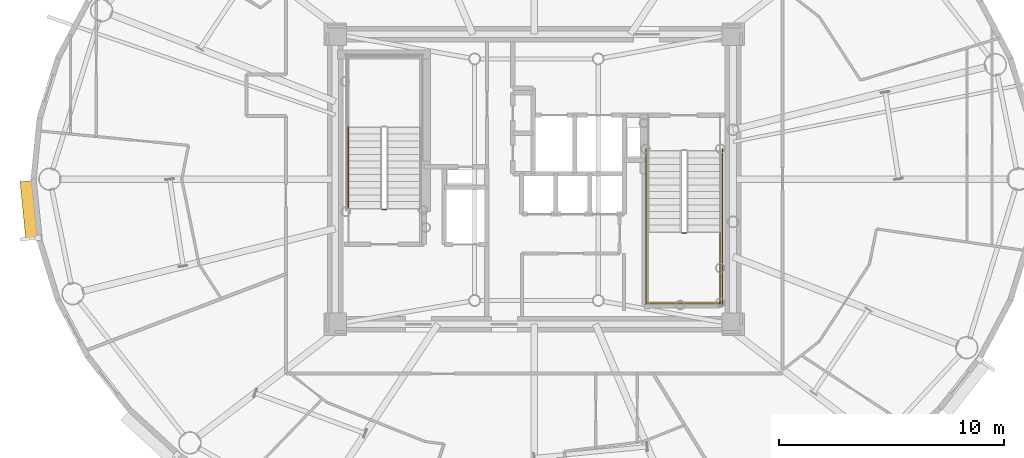
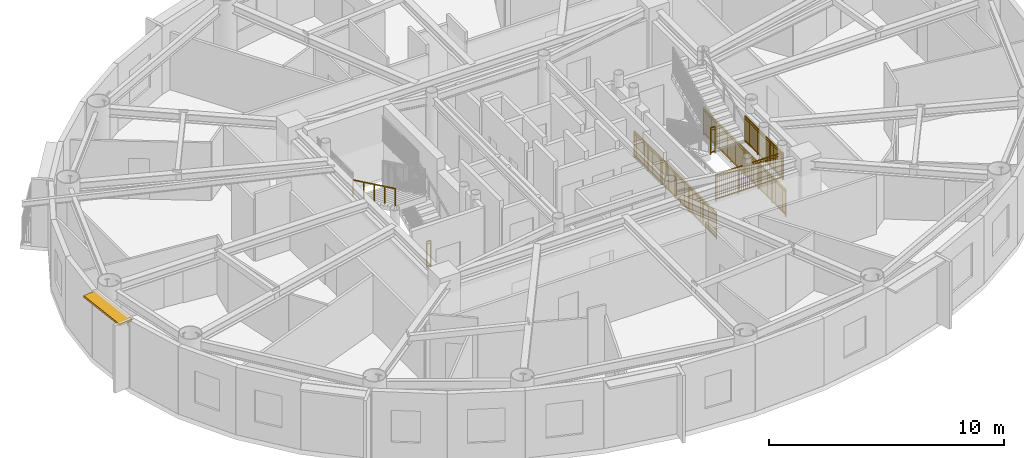
# One storey, part 13 of 18: 7 railings, 1 shading device.
"""IFC4 building model written with IfcOpenShell, lengths in metres."""

import ifcopenshell
import ifcopenshell.guid

model = None  # the IFC model being written
_history = None  # IfcOwnerHistory: only IFC2X3 demands one
_inside = {}  # id of a spatial element -> (the spatial element, [elements in it])
_under = {}  # id of a project, library or spatial element -> (it, [spatial elements below it])
_declared = {}  # id of a project -> (the project, [libraries it declares])
_typed = {}  # id of a type object -> (the type object, [elements of that type])
_made_of = {}  # id of a material, layer set ... -> (it, [elements and type objects made of it])


def new_model(schema):
    """Start an empty IFC model of exactly this schema.

    Asked for "IFC4X3", IfcOpenShell would pick the latest addendum, in which some entities
    have other attributes; the version numbers below select the first issue.
    IFC2X3 requires an IfcOwnerHistory on every rooted entity: one is made here for all.
    """
    global model, _history
    if schema == "IFC4X3":
        model = ifcopenshell.file(schema_version=(4, 3, 0, 0))
    else:
        model = ifcopenshell.file(schema=schema)
    _inside.clear()
    _under.clear()
    _declared.clear()
    _typed.clear()
    _made_of.clear()
    _history = None
    if model.schema == "IFC2X3":
        org = make("IfcOrganization", Name="unknown")
        user = make(
            "IfcPersonAndOrganization",
            ThePerson=make("IfcPerson", FamilyName="unknown"),
            TheOrganization=org,
        )
        app = make(
            "IfcApplication",
            ApplicationDeveloper=org,
            Version="unknown",
            ApplicationFullName="unknown",
            ApplicationIdentifier="unknown",
        )
        _history = make(
            "IfcOwnerHistory",
            OwningUser=user,
            OwningApplication=app,
            ChangeAction="ADDED",
            CreationDate=0,
        )
    return model


def make(cls, **values):
    """One entity of the class cls with the attributes given. An attribute that is None is left unset."""
    return model.create_entity(
        cls, **{name: value for name, value in values.items() if value is not None}
    )


def rooted(cls, **values):
    """An entity with a GlobalId (a new one), such as an element, a storey or a relation."""
    return make(cls, GlobalId=ifcopenshell.guid.new(), OwnerHistory=_history, **values)


def si_unit(unit_type, name, prefix=None):
    """IfcSIUnit, for example si_unit("LENGTHUNIT", "METRE", prefix="MILLI")."""
    return make("IfcSIUnit", UnitType=unit_type, Prefix=prefix, Name=name)


def assignment(units):
    """IfcUnitAssignment: the units of a project."""
    return None if units is None else make("IfcUnitAssignment", Units=units)


def point(xyz):
    """IfcCartesianPoint."""
    return None if xyz is None else make("IfcCartesianPoint", Coordinates=xyz)


def direction(xyz):
    """IfcDirection."""
    return None if xyz is None else make("IfcDirection", DirectionRatios=xyz)


def frame(location, z_axis=None, x_axis=None):
    """IfcAxis2Placement3D, a coordinate frame: its origin and axes. An axis left out is left unset."""
    return make(
        "IfcAxis2Placement3D",
        Location=point(location),
        Axis=direction(z_axis),
        RefDirection=direction(x_axis),
    )


def frame_2d(location, x_axis=None):
    """IfcAxis2Placement2D, a coordinate frame in the plane: its origin and x axis."""
    return make(
        "IfcAxis2Placement2D", Location=point(location), RefDirection=direction(x_axis)
    )


def origin():
    """The frame at (0, 0, 0) with its axes left unset."""
    return frame((0.0, 0.0, 0.0))


def origin_2d():
    """The frame at (0, 0) in the plane with its x axis left unset."""
    return frame_2d((0.0, 0.0))


def place(relative_to, where):
    """IfcLocalPlacement: puts the frame where relative to a parent placement (None: the world)."""
    return make(
        "IfcLocalPlacement", PlacementRelTo=relative_to, RelativePlacement=where
    )


def context(
    kind, dimensions, precision=None, world=None, true_north=None, identifier=None
):
    """IfcGeometricRepresentationContext, for example the 3D "Model" context."""
    return make(
        "IfcGeometricRepresentationContext",
        ContextIdentifier=identifier,
        ContextType=kind,
        CoordinateSpaceDimension=dimensions,
        Precision=precision,
        WorldCoordinateSystem=world,
        TrueNorth=true_north,
    )


def subcontext(parent, identifier, kind, view, scale=None):
    """IfcGeometricRepresentationSubContext, for example "Body" below "Model"."""
    return make(
        "IfcGeometricRepresentationSubContext",
        ContextIdentifier=identifier,
        ContextType=kind,
        ParentContext=parent,
        TargetScale=scale,
        TargetView=view,
    )


def project(units=None, contexts=None):
    """IfcProject with its units and contexts."""
    return rooted(
        "IfcProject",
        Name="project",
        RepresentationContexts=contexts,
        UnitsInContext=assignment(units),
    )


def spatial(cls, under=None, at=None, **own):
    """A site, building, storey or space (cls), placed at a placement, below another one or the project."""
    s = rooted(cls, ObjectPlacement=at, **own)
    if under is not None:
        _under.setdefault(under.id(), (under, []))[1].append(s)
    return s


def profile(cls, at=None, kind="AREA", **sizes):
    """A parametric profile (cls). Its sizes go by their IFC names, for example OverallWidth=200.0."""
    return make(cls, ProfileType=kind, Position=at, **sizes)


def rectangle(**sizes):
    """IfcRectangleProfileDef."""
    return profile("IfcRectangleProfileDef", **sizes)


def extrude(swept, where, along, depth):
    """IfcExtrudedAreaSolid: the profile swept, set in the frame where, extruded along a direction by depth."""
    return make(
        "IfcExtrudedAreaSolid",
        SweptArea=swept,
        Position=where,
        ExtrudedDirection=direction(along),
        Depth=depth,
    )


def shape(context_of_items, identifier, shape_type, items):
    """IfcShapeRepresentation: the items that make up one representation, for example the "Body"."""
    return make(
        "IfcShapeRepresentation",
        ContextOfItems=context_of_items,
        RepresentationIdentifier=identifier,
        RepresentationType=shape_type,
        Items=items,
    )


def source(mapping_origin, context_of_items, identifier, shape_type, items):
    """IfcRepresentationMap: a shape defined once, which mapped items show again and again."""
    return make(
        "IfcRepresentationMap",
        MappingOrigin=mapping_origin,
        MappedRepresentation=shape(context_of_items, identifier, shape_type, items),
    )


def transform(
    local_origin,
    x_axis=None,
    y_axis=None,
    z_axis=None,
    scale=None,
    scale2=None,
    scale3=None,
    uniform=True,
):
    """IfcCartesianTransformationOperator3D, or its non-uniform kind. x_axis, y_axis, z_axis: its Axis1, 2, 3."""
    if uniform:
        return make(
            "IfcCartesianTransformationOperator3D",
            Axis1=direction(x_axis),
            Axis2=direction(y_axis),
            LocalOrigin=point(local_origin),
            Scale=scale,
            Axis3=direction(z_axis),
        )
    return make(
        "IfcCartesianTransformationOperator3DnonUniform",
        Axis1=direction(x_axis),
        Axis2=direction(y_axis),
        LocalOrigin=point(local_origin),
        Scale=scale,
        Axis3=direction(z_axis),
        Scale2=scale2,
        Scale3=scale3,
    )


def mapped(mapping_source, mapping_target):
    """IfcMappedItem: shows the shape of a source again, moved by a transform."""
    return make(
        "IfcMappedItem", MappingSource=mapping_source, MappingTarget=mapping_target
    )


def material(Name=None, Category=None):
    """IfcMaterial."""
    return make("IfcMaterial", Name=Name, Category=Category)


def layer(
    of_material, thickness, ventilated=None, Name=None, Category=None, Priority=None
):
    """IfcMaterialLayer: one layer of a wall or slab, of a material (None: an air gap)."""
    return make(
        "IfcMaterialLayer",
        Material=of_material,
        LayerThickness=thickness,
        IsVentilated=ventilated,
        Name=Name,
        Category=Category,
        Priority=Priority,
    )


def layer_set(layers, Name=None):
    """IfcMaterialLayerSet."""
    return make("IfcMaterialLayerSet", MaterialLayers=layers, LayerSetName=Name)


def made_of(thing, what):
    """Note that an element or type object is made of a material, layer set ...; save() writes the relation."""
    if what is not None:
        _made_of.setdefault(what.id(), (what, []))[1].append(thing)
    return thing


def type_object(cls, material=None, **own):
    """A type object (cls), such as IfcWallType, which elements share."""
    return made_of(rooted(cls, **own), material)


def element(
    cls,
    number,
    at=None,
    inside=None,
    cuts=None,
    type_object=None,
    material=None,
    context=None,
    identifier="Body",
    shape_type=None,
    held_by="IfcProductDefinitionShape",
    body=None,
    shapes=None,
    **own,
):
    """One element of the class cls, such as IfcWall. Its Tag is "e" and its number.

    at: its placement. inside: the storey or other place that contains it. cuts: it is an
    opening in that element (IfcRelVoidsElement). A single representation is given by context,
    identifier, shape_type and body (its items); several are given by shapes. held_by: the class
    of the entity that holds the representations. save() writes the other relations.
    """
    e = rooted(cls, Tag="e%d" % number, ObjectPlacement=at, **own)
    if body is not None:
        shapes = [shape(context, identifier, shape_type, body)]
    if shapes is not None:
        e.Representation = make(held_by, Representations=shapes)
    if inside is not None:
        _inside.setdefault(inside.id(), (inside, []))[1].append(e)
    if cuts is not None:
        rooted(
            "IfcRelVoidsElement", RelatingBuildingElement=cuts, RelatedOpeningElement=e
        )
    if type_object is not None:
        _typed.setdefault(type_object.id(), (type_object, []))[1].append(e)
    return made_of(e, material)


def aggregate(whole, parts):
    """IfcRelAggregates: a whole, such as a stair, and the parts it consists of."""
    return rooted("IfcRelAggregates", RelatingObject=whole, RelatedObjects=parts)


def save(model, path):
    """Write the relations noted so far, then the file.

    IfcRelAggregates (storeys below a building ...), IfcRelContainedInSpatialStructure (elements
    in a storey), IfcRelDefinesByType, IfcRelAssociatesMaterial and IfcRelDeclares: one each for
    every whole, place, type object, material and project.
    """
    for whole, parts in _under.values():
        aggregate(whole, parts)
    for where, things in _inside.values():
        rooted(
            "IfcRelContainedInSpatialStructure",
            RelatedElements=things,
            RelatingStructure=where,
        )
    for kind, things in _typed.values():
        rooted("IfcRelDefinesByType", RelatedObjects=things, RelatingType=kind)
    for what, things in _made_of.values():
        rooted("IfcRelAssociatesMaterial", RelatedObjects=things, RelatingMaterial=what)
    for by, libraries in _declared.values():
        rooted("IfcRelDeclares", RelatingContext=by, RelatedDefinitions=libraries)
    model.write(path)


model = new_model("IFC4")

# Units and contexts
model_context = context("Model", 3, precision=1e-05, world=origin(), true_north=direction((0.0, 1.0)))
body_context = subcontext(model_context, "Body", "Model", "MODEL_VIEW")
ifc_project = project(units=[si_unit("LENGTHUNIT", "METRE"), si_unit("AREAUNIT", "SQUARE_METRE"), si_unit("VOLUMEUNIT", "CUBIC_METRE"), si_unit("PLANEANGLEUNIT", "RADIAN"), si_unit("MASSUNIT", "GRAM", prefix="KILO")], contexts=[model_context])

# Site, building, storey
site_placement = place(None, origin())
site = spatial("IfcSite", under=ifc_project, at=site_placement, CompositionType="ELEMENT")
building_placement = place(site_placement, origin())
building = spatial("IfcBuilding", under=site, at=building_placement, Name="Linh Dai School and Residence Tower", CompositionType="ELEMENT")
storey_placement = place(building_placement, frame((0.0, 0.0, 291.75)))
storey = spatial("IfcBuildingStorey", under=building, at=storey_placement, Name="L72", CompositionType="ELEMENT", Elevation=291.75)

# Shading device
ifc_material_1 = material(Name="Terracotta Ceramic Sunshade", Category="masonry")
ifc_layer = layer(ifc_material_1, 0.10009765625)
ifc_layer_set = layer_set([ifc_layer], Name="Terracotta Ceramic Sunshade")
shading_device_type = type_object("IfcShadingDeviceType", Name="SHD-TC-650", PredefinedType="USERDEFINED", material=ifc_layer_set)
shared_shape_1 = source(origin(), body_context, "Body", "SweptSolid", [
    extrude(rectangle(XDim=2.62353515625, YDim=0.64990234375, at=origin_2d()), origin(), (0.0, 0.0, 1.0), 0.10009765625),
])
shading_device_placement = place(storey_placement, frame((13.578125, 25.612060546875, 3.3798828125), z_axis=(0.0, 0.0, 1.0), x_axis=(-0.100008034283, 0.994986629598, 0.0)))
element("IfcShadingDevice", 1, at=shading_device_placement, inside=storey, type_object=shading_device_type, Name="L72 Terracotta Horizontal Sunshade Band 21", ObjectType="SUNSHADE", PredefinedType="USERDEFINED", context=body_context, shape_type="MappedRepresentation", body=[
    mapped(shared_shape_1, transform((0.0, 0.0, 0.0), x_axis=(1.0, 0.0, 0.0), y_axis=(0.0, 1.0, 0.0), z_axis=(0.0, 0.0, 1.0), scale=1.0)),
])

# Railings
ifc_material_2 = material(Name="Structural Steel S355JR", Category="steel")
railing_type_1 = type_object("IfcRailingType", Name="RL-ST-GUARD-1400", PredefinedType="GUARDRAIL", material=ifc_material_2)
shared_shape_2 = source(origin(), body_context, "Body", "SweptSolid", [
    extrude(rectangle(XDim=0.048095703125, YDim=0.048095703125, at=origin_2d()), frame((0.0, 0.0, 1.3759765625), z_axis=(-1.0, 0.0, 0.0), x_axis=(0.0, -1.0, 0.0)), (0.0, 0.0, 1.0), 0.199951171875),
    extrude(rectangle(XDim=0.048095703125, YDim=0.048095703125, at=origin_2d()), frame((0.0, 0.0, 0.10009765625), z_axis=(-1.0, 0.0, 0.0), x_axis=(0.0, -1.0, 0.0)), (0.0, 0.0, 1.0), 0.199951171875),
    extrude(rectangle(XDim=0.030029296875, YDim=0.030029296875, at=origin_2d()), frame((0.0, 0.0, 1.239990234375), z_axis=(-1.0, 0.0, 0.0), x_axis=(0.0, -1.0, 0.0)), (0.0, 0.0, 1.0), 0.199951171875),
    extrude(rectangle(XDim=0.0419921875, YDim=0.0419921875, at=origin_2d()), origin(), (0.0, 0.0, 1.0), 1.3759765625),
    extrude(rectangle(XDim=0.0419921875, YDim=0.0419921875, at=origin_2d()), frame((-0.199951171875, 0.0, 0.0)), (0.0, 0.0, 1.0), 1.3759765625),
])
railing_1_placement = place(storey_placement, frame((29.429931640625, 25.64990234375, 0.0)))
element("IfcRailing", 2, at=railing_1_placement, inside=storey, type_object=railing_type_1, Name="L72 ST1 stair guard 7", PredefinedType="GUARDRAIL", context=body_context, shape_type="MappedRepresentation", body=[
    mapped(shared_shape_2, transform((0.0, 0.0, 0.0), x_axis=(1.0, 0.0, 0.0), y_axis=(0.0, 1.0, 0.0), z_axis=(0.0, 0.0, 1.0), scale=1.0)),
])
ifc_material_3 = material(Name="Brushed Stainless Steel Handrail", Category="steel")
railing_type_2 = type_object("IfcRailingType", Name="RL-ST-HANDRAIL-900", PredefinedType="HANDRAIL", material=ifc_material_3)
shared_shape_3 = source(origin(), body_context, "Body", "SweptSolid", [
    extrude(rectangle(XDim=0.048095703125, YDim=0.048095703125, at=origin_2d()), frame((0.0, 0.0, 0.8759765625), z_axis=(0.0, -0.901262522062, 0.433273431364), x_axis=(1.0, 0.0, 0.0)), (0.0, 0.0, 1.0), 3.994384765625),
    extrude(rectangle(XDim=0.0419921875, YDim=0.0419921875, at=origin_2d()), origin(), (0.0, 0.0, 1.0), 0.8759765625),
    extrude(rectangle(XDim=0.0419921875, YDim=0.0419921875, at=origin_2d()), frame((0.0, -0.89990234375, 0.4326171875)), (0.0, 0.0, 1.0), 0.8759765625),
    extrude(rectangle(XDim=0.0419921875, YDim=0.0419921875, at=origin_2d()), frame((0.0, -1.800048828125, 0.865234375)), (0.0, 0.0, 1.0), 0.8759765625),
    extrude(rectangle(XDim=0.0419921875, YDim=0.0419921875, at=origin_2d()), frame((0.0, -2.7001953125, 1.298095703125)), (0.0, 0.0, 1.0), 0.8759765625),
    extrude(rectangle(XDim=0.0419921875, YDim=0.0419921875, at=origin_2d()), frame((0.0, -3.60009765625, 1.730712890625)), (0.0, 0.0, 1.0), 0.8759765625),
])
railing_2_placement = place(storey_placement, frame((27.72998046875, 29.300048828125, 2.019287109375)))
element("IfcRailing", 3, at=railing_2_placement, inside=storey, type_object=railing_type_2, Name="L72 ST1 stair handrail 2", PredefinedType="HANDRAIL", context=body_context, shape_type="MappedRepresentation", body=[
    mapped(shared_shape_3, transform((0.0, 0.0, 0.0), x_axis=(1.0, 0.0, 0.0), y_axis=(0.0, 1.0, 0.0), z_axis=(0.0, 0.0, 1.0), scale=1.0)),
])
shared_shape_4 = source(origin(), body_context, "Body", "SweptSolid", [
    extrude(rectangle(XDim=0.048095703125, YDim=0.048095703125, at=origin_2d()), frame((0.0, 0.0, 1.3759765625), z_axis=(1.0, 0.0, 0.0), x_axis=(0.0, 1.0, 0.0)), (0.0, 0.0, 1.0), 0.199951171875),
    extrude(rectangle(XDim=0.048095703125, YDim=0.048095703125, at=origin_2d()), frame((0.0, 0.0, 0.10009765625), z_axis=(1.0, 0.0, 0.0), x_axis=(0.0, 1.0, 0.0)), (0.0, 0.0, 1.0), 0.199951171875),
    extrude(rectangle(XDim=0.030029296875, YDim=0.030029296875, at=origin_2d()), frame((0.0, 0.0, 1.239990234375), z_axis=(1.0, 0.0, 0.0), x_axis=(0.0, 1.0, 0.0)), (0.0, 0.0, 1.0), 0.199951171875),
    extrude(rectangle(XDim=0.0419921875, YDim=0.0419921875, at=origin_2d()), origin(), (0.0, 0.0, 1.0), 1.3759765625),
    extrude(rectangle(XDim=0.0419921875, YDim=0.0419921875, at=origin_2d()), frame((0.199951171875, 0.0, 0.0)), (0.0, 0.0, 1.0), 1.3759765625),
])
railing_3_placement = place(storey_placement, frame((42.570068359375, 24.60009765625, 1.875)))
element("IfcRailing", 4, at=railing_3_placement, inside=storey, type_object=railing_type_1, Name="L72 ST2 stair guard 2", PredefinedType="GUARDRAIL", context=body_context, shape_type="MappedRepresentation", body=[
    mapped(shared_shape_4, transform((0.0, 0.0, 0.0), x_axis=(1.0, 0.0, 0.0), y_axis=(0.0, 1.0, 0.0), z_axis=(0.0, 0.0, 1.0), scale=1.0)),
])
shared_shape_5 = source(origin(), body_context, "Body", "SweptSolid", [
    extrude(rectangle(XDim=0.048095703125, YDim=0.048095703125, at=origin_2d()), frame((0.0, 0.0, 1.3759765625), z_axis=(1.0, 0.0, 0.0), x_axis=(0.0, 1.0, 0.0)), (0.0, 0.0, 1.0), 3.300048828125),
    extrude(rectangle(XDim=0.048095703125, YDim=0.048095703125, at=origin_2d()), frame((0.0, 0.0, 0.10009765625), z_axis=(1.0, 0.0, 0.0), x_axis=(0.0, 1.0, 0.0)), (0.0, 0.0, 1.0), 3.300048828125),
    extrude(rectangle(XDim=0.030029296875, YDim=0.030029296875, at=origin_2d()), frame((0.0, 0.0, 1.239990234375), z_axis=(1.0, 0.0, 0.0), x_axis=(0.0, 1.0, 0.0)), (0.0, 0.0, 1.0), 3.300048828125),
    extrude(rectangle(XDim=0.02001953125, YDim=0.02001953125, at=origin_2d()), frame((0.09716796875, 0.0, 0.10009765625)), (0.0, 0.0, 1.0), 1.251708984375),
    extrude(rectangle(XDim=0.02001953125, YDim=0.02001953125, at=origin_2d()), frame((0.194091796875, 0.0, 0.10009765625)), (0.0, 0.0, 1.0), 1.251708984375),
    extrude(rectangle(XDim=0.02001953125, YDim=0.02001953125, at=origin_2d()), frame((0.291259765625, 0.0, 0.10009765625)), (0.0, 0.0, 1.0), 1.251708984375),
    extrude(rectangle(XDim=0.02001953125, YDim=0.02001953125, at=origin_2d()), frame((0.38818359375, 0.0, 0.10009765625)), (0.0, 0.0, 1.0), 1.251708984375),
    extrude(rectangle(XDim=0.02001953125, YDim=0.02001953125, at=origin_2d()), frame((0.4853515625, 0.0, 0.10009765625)), (0.0, 0.0, 1.0), 1.251708984375),
    extrude(rectangle(XDim=0.02001953125, YDim=0.02001953125, at=origin_2d()), frame((0.582275390625, 0.0, 0.10009765625)), (0.0, 0.0, 1.0), 1.251708984375),
    extrude(rectangle(XDim=0.02001953125, YDim=0.02001953125, at=origin_2d()), frame((0.679443359375, 0.0, 0.10009765625)), (0.0, 0.0, 1.0), 1.251708984375),
    extrude(rectangle(XDim=0.02001953125, YDim=0.02001953125, at=origin_2d()), frame((0.7763671875, 0.0, 0.10009765625)), (0.0, 0.0, 1.0), 1.251708984375),
    extrude(rectangle(XDim=0.02001953125, YDim=0.02001953125, at=origin_2d()), frame((0.87353515625, 0.0, 0.10009765625)), (0.0, 0.0, 1.0), 1.251708984375),
    extrude(rectangle(XDim=0.02001953125, YDim=0.02001953125, at=origin_2d()), frame((0.970703125, 0.0, 0.10009765625)), (0.0, 0.0, 1.0), 1.251708984375),
    extrude(rectangle(XDim=0.02001953125, YDim=0.02001953125, at=origin_2d()), frame((1.164794921875, 0.0, 0.10009765625)), (0.0, 0.0, 1.0), 1.251708984375),
    extrude(rectangle(XDim=0.02001953125, YDim=0.02001953125, at=origin_2d()), frame((1.26171875, 0.0, 0.10009765625)), (0.0, 0.0, 1.0), 1.251708984375),
    extrude(rectangle(XDim=0.02001953125, YDim=0.02001953125, at=origin_2d()), frame((1.35888671875, 0.0, 0.10009765625)), (0.0, 0.0, 1.0), 1.251708984375),
    extrude(rectangle(XDim=0.02001953125, YDim=0.02001953125, at=origin_2d()), frame((1.455810546875, 0.0, 0.10009765625)), (0.0, 0.0, 1.0), 1.251708984375),
    extrude(rectangle(XDim=0.02001953125, YDim=0.02001953125, at=origin_2d()), frame((1.552978515625, 0.0, 0.10009765625)), (0.0, 0.0, 1.0), 1.251708984375),
    extrude(rectangle(XDim=0.02001953125, YDim=0.02001953125, at=origin_2d()), frame((1.64990234375, 0.0, 0.10009765625)), (0.0, 0.0, 1.0), 1.251708984375),
    extrude(rectangle(XDim=0.02001953125, YDim=0.02001953125, at=origin_2d()), frame((1.7470703125, 0.0, 0.10009765625)), (0.0, 0.0, 1.0), 1.251708984375),
    extrude(rectangle(XDim=0.02001953125, YDim=0.02001953125, at=origin_2d()), frame((1.84423828125, 0.0, 0.10009765625)), (0.0, 0.0, 1.0), 1.251708984375),
    extrude(rectangle(XDim=0.02001953125, YDim=0.02001953125, at=origin_2d()), frame((1.941162109375, 0.0, 0.10009765625)), (0.0, 0.0, 1.0), 1.251708984375),
    extrude(rectangle(XDim=0.02001953125, YDim=0.02001953125, at=origin_2d()), frame((2.038330078125, 0.0, 0.10009765625)), (0.0, 0.0, 1.0), 1.251708984375),
    extrude(rectangle(XDim=0.02001953125, YDim=0.02001953125, at=origin_2d()), frame((2.13525390625, 0.0, 0.10009765625)), (0.0, 0.0, 1.0), 1.251708984375),
    extrude(rectangle(XDim=0.02001953125, YDim=0.02001953125, at=origin_2d()), frame((2.329345703125, 0.0, 0.10009765625)), (0.0, 0.0, 1.0), 1.251708984375),
    extrude(rectangle(XDim=0.02001953125, YDim=0.02001953125, at=origin_2d()), frame((2.426513671875, 0.0, 0.10009765625)), (0.0, 0.0, 1.0), 1.251708984375),
    extrude(rectangle(XDim=0.02001953125, YDim=0.02001953125, at=origin_2d()), frame((2.523681640625, 0.0, 0.10009765625)), (0.0, 0.0, 1.0), 1.251708984375),
    extrude(rectangle(XDim=0.02001953125, YDim=0.02001953125, at=origin_2d()), frame((2.62060546875, 0.0, 0.10009765625)), (0.0, 0.0, 1.0), 1.251708984375),
    extrude(rectangle(XDim=0.02001953125, YDim=0.02001953125, at=origin_2d()), frame((2.7177734375, 0.0, 0.10009765625)), (0.0, 0.0, 1.0), 1.251708984375),
    extrude(rectangle(XDim=0.02001953125, YDim=0.02001953125, at=origin_2d()), frame((2.814697265625, 0.0, 0.10009765625)), (0.0, 0.0, 1.0), 1.251708984375),
    extrude(rectangle(XDim=0.02001953125, YDim=0.02001953125, at=origin_2d()), frame((2.911865234375, 0.0, 0.10009765625)), (0.0, 0.0, 1.0), 1.251708984375),
    extrude(rectangle(XDim=0.02001953125, YDim=0.02001953125, at=origin_2d()), frame((3.0087890625, 0.0, 0.10009765625)), (0.0, 0.0, 1.0), 1.251708984375),
    extrude(rectangle(XDim=0.02001953125, YDim=0.02001953125, at=origin_2d()), frame((3.10595703125, 0.0, 0.10009765625)), (0.0, 0.0, 1.0), 1.251708984375),
    extrude(rectangle(XDim=0.02001953125, YDim=0.02001953125, at=origin_2d()), frame((3.202880859375, 0.0, 0.10009765625)), (0.0, 0.0, 1.0), 1.251708984375),
    extrude(rectangle(XDim=0.0419921875, YDim=0.0419921875, at=origin_2d()), origin(), (0.0, 0.0, 1.0), 1.3759765625),
    extrude(rectangle(XDim=0.0419921875, YDim=0.0419921875, at=origin_2d()), frame((1.10009765625, 0.0, 0.0)), (0.0, 0.0, 1.0), 1.3759765625),
    extrude(rectangle(XDim=0.0419921875, YDim=0.0419921875, at=origin_2d()), frame((2.199951171875, 0.0, 0.0)), (0.0, 0.0, 1.0), 1.3759765625),
    extrude(rectangle(XDim=0.0419921875, YDim=0.0419921875, at=origin_2d()), frame((3.300048828125, 0.0, 0.0)), (0.0, 0.0, 1.0), 1.3759765625),
])
railing_4_placement = place(storey_placement, frame((41.02001953125, 21.5, 1.875)))
element("IfcRailing", 5, at=railing_4_placement, inside=storey, type_object=railing_type_1, Name="L72 ST2 stair guard 5", PredefinedType="GUARDRAIL", context=body_context, shape_type="MappedRepresentation", body=[
    mapped(shared_shape_5, transform((0.0, 0.0, 0.0), x_axis=(1.0, 0.0, 0.0), y_axis=(0.0, 1.0, 0.0), z_axis=(0.0, 0.0, 1.0), scale=1.0)),
])
shared_shape_6 = source(origin(), body_context, "Body", "SweptSolid", [
    extrude(rectangle(XDim=0.048095703125, YDim=0.048095703125, at=origin_2d()), frame((0.0, 0.0, 1.3759765625), z_axis=(0.0, -1.0, 0.0), x_axis=(1.0, 0.0, 0.0)), (0.0, 0.0, 1.0), 7.0),
    extrude(rectangle(XDim=0.048095703125, YDim=0.048095703125, at=origin_2d()), frame((0.0, 0.0, 0.10009765625), z_axis=(0.0, -1.0, 0.0), x_axis=(1.0, 0.0, 0.0)), (0.0, 0.0, 1.0), 7.0),
    extrude(rectangle(XDim=0.030029296875, YDim=0.030029296875, at=origin_2d()), frame((0.0, 0.0, 1.239990234375), z_axis=(0.0, -1.0, 0.0), x_axis=(1.0, 0.0, 0.0)), (0.0, 0.0, 1.0), 7.0),
    extrude(rectangle(XDim=0.02001953125, YDim=0.02001953125, at=origin_2d()), frame((0.0, -0.09716796875, 0.10009765625)), (0.0, 0.0, 1.0), 1.251708984375),
    extrude(rectangle(XDim=0.02001953125, YDim=0.02001953125, at=origin_2d()), frame((0.0, -0.1943359375, 0.10009765625)), (0.0, 0.0, 1.0), 1.251708984375),
    extrude(rectangle(XDim=0.02001953125, YDim=0.02001953125, at=origin_2d()), frame((0.0, -0.291748046875, 0.10009765625)), (0.0, 0.0, 1.0), 1.251708984375),
    extrude(rectangle(XDim=0.02001953125, YDim=0.02001953125, at=origin_2d()), frame((0.0, -0.388916015625, 0.10009765625)), (0.0, 0.0, 1.0), 1.251708984375),
    extrude(rectangle(XDim=0.02001953125, YDim=0.02001953125, at=origin_2d()), frame((0.0, -0.486083984375, 0.10009765625)), (0.0, 0.0, 1.0), 1.251708984375),
    extrude(rectangle(XDim=0.02001953125, YDim=0.02001953125, at=origin_2d()), frame((0.0, -0.583251953125, 0.10009765625)), (0.0, 0.0, 1.0), 1.251708984375),
    extrude(rectangle(XDim=0.02001953125, YDim=0.02001953125, at=origin_2d()), frame((0.0, -0.6806640625, 0.10009765625)), (0.0, 0.0, 1.0), 1.251708984375),
    extrude(rectangle(XDim=0.02001953125, YDim=0.02001953125, at=origin_2d()), frame((0.0, -0.77783203125, 0.10009765625)), (0.0, 0.0, 1.0), 1.251708984375),
    extrude(rectangle(XDim=0.02001953125, YDim=0.02001953125, at=origin_2d()), frame((0.0, -0.875, 0.10009765625)), (0.0, 0.0, 1.0), 1.251708984375),
    extrude(rectangle(XDim=0.02001953125, YDim=0.02001953125, at=origin_2d()), frame((0.0, -0.97216796875, 0.10009765625)), (0.0, 0.0, 1.0), 1.251708984375),
    extrude(rectangle(XDim=0.02001953125, YDim=0.02001953125, at=origin_2d()), frame((0.0, -1.0693359375, 0.10009765625)), (0.0, 0.0, 1.0), 1.251708984375),
    extrude(rectangle(XDim=0.02001953125, YDim=0.02001953125, at=origin_2d()), frame((0.0, -1.263916015625, 0.10009765625)), (0.0, 0.0, 1.0), 1.251708984375),
    extrude(rectangle(XDim=0.02001953125, YDim=0.02001953125, at=origin_2d()), frame((0.0, -1.361083984375, 0.10009765625)), (0.0, 0.0, 1.0), 1.251708984375),
    extrude(rectangle(XDim=0.02001953125, YDim=0.02001953125, at=origin_2d()), frame((0.0, -1.458251953125, 0.10009765625)), (0.0, 0.0, 1.0), 1.251708984375),
    extrude(rectangle(XDim=0.02001953125, YDim=0.02001953125, at=origin_2d()), frame((0.0, -1.5556640625, 0.10009765625)), (0.0, 0.0, 1.0), 1.251708984375),
    extrude(rectangle(XDim=0.02001953125, YDim=0.02001953125, at=origin_2d()), frame((0.0, -1.65283203125, 0.10009765625)), (0.0, 0.0, 1.0), 1.251708984375),
    extrude(rectangle(XDim=0.02001953125, YDim=0.02001953125, at=origin_2d()), frame((0.0, -1.75, 0.10009765625)), (0.0, 0.0, 1.0), 1.251708984375),
    extrude(rectangle(XDim=0.02001953125, YDim=0.02001953125, at=origin_2d()), frame((0.0, -1.84716796875, 0.10009765625)), (0.0, 0.0, 1.0), 1.251708984375),
    extrude(rectangle(XDim=0.02001953125, YDim=0.02001953125, at=origin_2d()), frame((0.0, -1.9443359375, 0.10009765625)), (0.0, 0.0, 1.0), 1.251708984375),
    extrude(rectangle(XDim=0.02001953125, YDim=0.02001953125, at=origin_2d()), frame((0.0, -2.041748046875, 0.10009765625)), (0.0, 0.0, 1.0), 1.251708984375),
    extrude(rectangle(XDim=0.02001953125, YDim=0.02001953125, at=origin_2d()), frame((0.0, -2.138916015625, 0.10009765625)), (0.0, 0.0, 1.0), 1.251708984375),
    extrude(rectangle(XDim=0.02001953125, YDim=0.02001953125, at=origin_2d()), frame((0.0, -2.236083984375, 0.10009765625)), (0.0, 0.0, 1.0), 1.251708984375),
    extrude(rectangle(XDim=0.02001953125, YDim=0.02001953125, at=origin_2d()), frame((0.0, -2.4306640625, 0.10009765625)), (0.0, 0.0, 1.0), 1.251708984375),
    extrude(rectangle(XDim=0.02001953125, YDim=0.02001953125, at=origin_2d()), frame((0.0, -2.52783203125, 0.10009765625)), (0.0, 0.0, 1.0), 1.251708984375),
    extrude(rectangle(XDim=0.02001953125, YDim=0.02001953125, at=origin_2d()), frame((0.0, -2.625, 0.10009765625)), (0.0, 0.0, 1.0), 1.251708984375),
    extrude(rectangle(XDim=0.02001953125, YDim=0.02001953125, at=origin_2d()), frame((0.0, -2.72216796875, 0.10009765625)), (0.0, 0.0, 1.0), 1.251708984375),
    extrude(rectangle(XDim=0.02001953125, YDim=0.02001953125, at=origin_2d()), frame((0.0, -2.8193359375, 0.10009765625)), (0.0, 0.0, 1.0), 1.251708984375),
    extrude(rectangle(XDim=0.02001953125, YDim=0.02001953125, at=origin_2d()), frame((0.0, -2.916748046875, 0.10009765625)), (0.0, 0.0, 1.0), 1.251708984375),
    extrude(rectangle(XDim=0.02001953125, YDim=0.02001953125, at=origin_2d()), frame((0.0, -3.013916015625, 0.10009765625)), (0.0, 0.0, 1.0), 1.251708984375),
    extrude(rectangle(XDim=0.02001953125, YDim=0.02001953125, at=origin_2d()), frame((0.0, -3.111083984375, 0.10009765625)), (0.0, 0.0, 1.0), 1.251708984375),
    extrude(rectangle(XDim=0.02001953125, YDim=0.02001953125, at=origin_2d()), frame((0.0, -3.208251953125, 0.10009765625)), (0.0, 0.0, 1.0), 1.251708984375),
    extrude(rectangle(XDim=0.02001953125, YDim=0.02001953125, at=origin_2d()), frame((0.0, -3.3056640625, 0.10009765625)), (0.0, 0.0, 1.0), 1.251708984375),
    extrude(rectangle(XDim=0.02001953125, YDim=0.02001953125, at=origin_2d()), frame((0.0, -3.40283203125, 0.10009765625)), (0.0, 0.0, 1.0), 1.251708984375),
    extrude(rectangle(XDim=0.02001953125, YDim=0.02001953125, at=origin_2d()), frame((0.0, -3.59716796875, 0.10009765625)), (0.0, 0.0, 1.0), 1.251708984375),
    extrude(rectangle(XDim=0.02001953125, YDim=0.02001953125, at=origin_2d()), frame((0.0, -3.6943359375, 0.10009765625)), (0.0, 0.0, 1.0), 1.251708984375),
    extrude(rectangle(XDim=0.02001953125, YDim=0.02001953125, at=origin_2d()), frame((0.0, -3.791748046875, 0.10009765625)), (0.0, 0.0, 1.0), 1.251708984375),
    extrude(rectangle(XDim=0.02001953125, YDim=0.02001953125, at=origin_2d()), frame((0.0, -3.888916015625, 0.10009765625)), (0.0, 0.0, 1.0), 1.251708984375),
    extrude(rectangle(XDim=0.02001953125, YDim=0.02001953125, at=origin_2d()), frame((0.0, -3.986083984375, 0.10009765625)), (0.0, 0.0, 1.0), 1.251708984375),
    extrude(rectangle(XDim=0.02001953125, YDim=0.02001953125, at=origin_2d()), frame((0.0, -4.083251953125, 0.10009765625)), (0.0, 0.0, 1.0), 1.251708984375),
    extrude(rectangle(XDim=0.02001953125, YDim=0.02001953125, at=origin_2d()), frame((0.0, -4.1806640625, 0.10009765625)), (0.0, 0.0, 1.0), 1.251708984375),
    extrude(rectangle(XDim=0.02001953125, YDim=0.02001953125, at=origin_2d()), frame((0.0, -4.27783203125, 0.10009765625)), (0.0, 0.0, 1.0), 1.251708984375),
    extrude(rectangle(XDim=0.02001953125, YDim=0.02001953125, at=origin_2d()), frame((0.0, -4.375, 0.10009765625)), (0.0, 0.0, 1.0), 1.251708984375),
    extrude(rectangle(XDim=0.02001953125, YDim=0.02001953125, at=origin_2d()), frame((0.0, -4.47216796875, 0.10009765625)), (0.0, 0.0, 1.0), 1.251708984375),
    extrude(rectangle(XDim=0.02001953125, YDim=0.02001953125, at=origin_2d()), frame((0.0, -4.5693359375, 0.10009765625)), (0.0, 0.0, 1.0), 1.251708984375),
    extrude(rectangle(XDim=0.02001953125, YDim=0.02001953125, at=origin_2d()), frame((0.0, -4.763916015625, 0.10009765625)), (0.0, 0.0, 1.0), 1.251708984375),
    extrude(rectangle(XDim=0.02001953125, YDim=0.02001953125, at=origin_2d()), frame((0.0, -4.861083984375, 0.10009765625)), (0.0, 0.0, 1.0), 1.251708984375),
    extrude(rectangle(XDim=0.02001953125, YDim=0.02001953125, at=origin_2d()), frame((0.0, -4.958251953125, 0.10009765625)), (0.0, 0.0, 1.0), 1.251708984375),
    extrude(rectangle(XDim=0.02001953125, YDim=0.02001953125, at=origin_2d()), frame((0.0, -5.0556640625, 0.10009765625)), (0.0, 0.0, 1.0), 1.251708984375),
    extrude(rectangle(XDim=0.02001953125, YDim=0.02001953125, at=origin_2d()), frame((0.0, -5.15283203125, 0.10009765625)), (0.0, 0.0, 1.0), 1.251708984375),
    extrude(rectangle(XDim=0.02001953125, YDim=0.02001953125, at=origin_2d()), frame((0.0, -5.25, 0.10009765625)), (0.0, 0.0, 1.0), 1.251708984375),
    extrude(rectangle(XDim=0.02001953125, YDim=0.02001953125, at=origin_2d()), frame((0.0, -5.34716796875, 0.10009765625)), (0.0, 0.0, 1.0), 1.251708984375),
    extrude(rectangle(XDim=0.02001953125, YDim=0.02001953125, at=origin_2d()), frame((0.0, -5.4443359375, 0.10009765625)), (0.0, 0.0, 1.0), 1.251708984375),
    extrude(rectangle(XDim=0.02001953125, YDim=0.02001953125, at=origin_2d()), frame((0.0, -5.541748046875, 0.10009765625)), (0.0, 0.0, 1.0), 1.251708984375),
    extrude(rectangle(XDim=0.02001953125, YDim=0.02001953125, at=origin_2d()), frame((0.0, -5.638916015625, 0.10009765625)), (0.0, 0.0, 1.0), 1.251708984375),
    extrude(rectangle(XDim=0.02001953125, YDim=0.02001953125, at=origin_2d()), frame((0.0, -5.736083984375, 0.10009765625)), (0.0, 0.0, 1.0), 1.251708984375),
    extrude(rectangle(XDim=0.02001953125, YDim=0.02001953125, at=origin_2d()), frame((0.0, -5.9306640625, 0.10009765625)), (0.0, 0.0, 1.0), 1.251708984375),
    extrude(rectangle(XDim=0.02001953125, YDim=0.02001953125, at=origin_2d()), frame((0.0, -6.02783203125, 0.10009765625)), (0.0, 0.0, 1.0), 1.251708984375),
    extrude(rectangle(XDim=0.02001953125, YDim=0.02001953125, at=origin_2d()), frame((0.0, -6.125, 0.10009765625)), (0.0, 0.0, 1.0), 1.251708984375),
    extrude(rectangle(XDim=0.02001953125, YDim=0.02001953125, at=origin_2d()), frame((0.0, -6.22216796875, 0.10009765625)), (0.0, 0.0, 1.0), 1.251708984375),
    extrude(rectangle(XDim=0.02001953125, YDim=0.02001953125, at=origin_2d()), frame((0.0, -6.3193359375, 0.10009765625)), (0.0, 0.0, 1.0), 1.251708984375),
    extrude(rectangle(XDim=0.02001953125, YDim=0.02001953125, at=origin_2d()), frame((0.0, -6.416748046875, 0.10009765625)), (0.0, 0.0, 1.0), 1.251708984375),
    extrude(rectangle(XDim=0.02001953125, YDim=0.02001953125, at=origin_2d()), frame((0.0, -6.513916015625, 0.10009765625)), (0.0, 0.0, 1.0), 1.251708984375),
    extrude(rectangle(XDim=0.02001953125, YDim=0.02001953125, at=origin_2d()), frame((0.0, -6.611083984375, 0.10009765625)), (0.0, 0.0, 1.0), 1.251708984375),
    extrude(rectangle(XDim=0.02001953125, YDim=0.02001953125, at=origin_2d()), frame((0.0, -6.708251953125, 0.10009765625)), (0.0, 0.0, 1.0), 1.251708984375),
    extrude(rectangle(XDim=0.02001953125, YDim=0.02001953125, at=origin_2d()), frame((0.0, -6.8056640625, 0.10009765625)), (0.0, 0.0, 1.0), 1.251708984375),
    extrude(rectangle(XDim=0.02001953125, YDim=0.02001953125, at=origin_2d()), frame((0.0, -6.90283203125, 0.10009765625)), (0.0, 0.0, 1.0), 1.251708984375),
    extrude(rectangle(XDim=0.0419921875, YDim=0.0419921875, at=origin_2d()), origin(), (0.0, 0.0, 1.0), 1.3759765625),
    extrude(rectangle(XDim=0.0419921875, YDim=0.0419921875, at=origin_2d()), frame((0.0, -1.166748046875, 0.0)), (0.0, 0.0, 1.0), 1.3759765625),
    extrude(rectangle(XDim=0.0419921875, YDim=0.0419921875, at=origin_2d()), frame((0.0, -2.333251953125, 0.0)), (0.0, 0.0, 1.0), 1.3759765625),
    extrude(rectangle(XDim=0.0419921875, YDim=0.0419921875, at=origin_2d()), frame((0.0, -3.5, 0.0)), (0.0, 0.0, 1.0), 1.3759765625),
    extrude(rectangle(XDim=0.0419921875, YDim=0.0419921875, at=origin_2d()), frame((0.0, -4.666748046875, 0.0)), (0.0, 0.0, 1.0), 1.3759765625),
    extrude(rectangle(XDim=0.0419921875, YDim=0.0419921875, at=origin_2d()), frame((0.0, -5.833251953125, 0.0)), (0.0, 0.0, 1.0), 1.3759765625),
    extrude(rectangle(XDim=0.0419921875, YDim=0.0419921875, at=origin_2d()), frame((0.0, -7.0, 0.0)), (0.0, 0.0, 1.0), 1.3759765625),
])
for number, where, name in (
    (6, (40.969970703125, 28.35009765625, 0.0), "L72 ST2 stair guard 10"),
    (7, (44.3701171875, 28.35009765625, 0.0), "L72 ST2 stair guard 11"),
):
    element("IfcRailing", number, at=place(storey_placement, frame(where)), inside=storey, type_object=railing_type_1, Name=name, PredefinedType="GUARDRAIL", context=body_context, shape_type="MappedRepresentation", body=[
        mapped(shared_shape_6, transform((0.0, 0.0, 0.0), x_axis=(1.0, 0.0, 0.0), y_axis=(0.0, 1.0, 0.0), z_axis=(0.0, 0.0, 1.0), scale=1.0)),
    ])
shared_shape_7 = source(origin(), body_context, "Body", "SweptSolid", [
    extrude(rectangle(XDim=0.048095703125, YDim=0.048095703125, at=origin_2d()), frame((0.0, 0.0, 1.3759765625), z_axis=(0.0, -1.0, 0.0), x_axis=(1.0, 0.0, 0.0)), (0.0, 0.0, 1.0), 3.199951171875),
    extrude(rectangle(XDim=0.048095703125, YDim=0.048095703125, at=origin_2d()), frame((0.0, 0.0, 0.10009765625), z_axis=(0.0, -1.0, 0.0), x_axis=(1.0, 0.0, 0.0)), (0.0, 0.0, 1.0), 3.199951171875),
    extrude(rectangle(XDim=0.030029296875, YDim=0.030029296875, at=origin_2d()), frame((0.0, 0.0, 1.239990234375), z_axis=(0.0, -1.0, 0.0), x_axis=(1.0, 0.0, 0.0)), (0.0, 0.0, 1.0), 3.199951171875),
    extrude(rectangle(XDim=0.02001953125, YDim=0.02001953125, at=origin_2d()), frame((0.0, -0.096923828125, 0.10009765625)), (0.0, 0.0, 1.0), 1.251708984375),
    extrude(rectangle(XDim=0.02001953125, YDim=0.02001953125, at=origin_2d()), frame((0.0, -0.19384765625, 0.10009765625)), (0.0, 0.0, 1.0), 1.251708984375),
    extrude(rectangle(XDim=0.02001953125, YDim=0.02001953125, at=origin_2d()), frame((0.0, -0.291015625, 0.10009765625)), (0.0, 0.0, 1.0), 1.251708984375),
    extrude(rectangle(XDim=0.02001953125, YDim=0.02001953125, at=origin_2d()), frame((0.0, -0.387939453125, 0.10009765625)), (0.0, 0.0, 1.0), 1.251708984375),
    extrude(rectangle(XDim=0.02001953125, YDim=0.02001953125, at=origin_2d()), frame((0.0, -0.48486328125, 0.10009765625)), (0.0, 0.0, 1.0), 1.251708984375),
    extrude(rectangle(XDim=0.02001953125, YDim=0.02001953125, at=origin_2d()), frame((0.0, -0.581787109375, 0.10009765625)), (0.0, 0.0, 1.0), 1.251708984375),
    extrude(rectangle(XDim=0.02001953125, YDim=0.02001953125, at=origin_2d()), frame((0.0, -0.6787109375, 0.10009765625)), (0.0, 0.0, 1.0), 1.251708984375),
    extrude(rectangle(XDim=0.02001953125, YDim=0.02001953125, at=origin_2d()), frame((0.0, -0.775634765625, 0.10009765625)), (0.0, 0.0, 1.0), 1.251708984375),
    extrude(rectangle(XDim=0.02001953125, YDim=0.02001953125, at=origin_2d()), frame((0.0, -0.872802734375, 0.10009765625)), (0.0, 0.0, 1.0), 1.251708984375),
    extrude(rectangle(XDim=0.02001953125, YDim=0.02001953125, at=origin_2d()), frame((0.0, -0.9697265625, 0.10009765625)), (0.0, 0.0, 1.0), 1.251708984375),
    extrude(rectangle(XDim=0.02001953125, YDim=0.02001953125, at=origin_2d()), frame((0.0, -1.16357421875, 0.10009765625)), (0.0, 0.0, 1.0), 1.251708984375),
    extrude(rectangle(XDim=0.02001953125, YDim=0.02001953125, at=origin_2d()), frame((0.0, -1.260498046875, 0.10009765625)), (0.0, 0.0, 1.0), 1.251708984375),
    extrude(rectangle(XDim=0.02001953125, YDim=0.02001953125, at=origin_2d()), frame((0.0, -1.357666015625, 0.10009765625)), (0.0, 0.0, 1.0), 1.251708984375),
    extrude(rectangle(XDim=0.02001953125, YDim=0.02001953125, at=origin_2d()), frame((0.0, -1.45458984375, 0.10009765625)), (0.0, 0.0, 1.0), 1.251708984375),
    extrude(rectangle(XDim=0.02001953125, YDim=0.02001953125, at=origin_2d()), frame((0.0, -1.551513671875, 0.10009765625)), (0.0, 0.0, 1.0), 1.251708984375),
    extrude(rectangle(XDim=0.02001953125, YDim=0.02001953125, at=origin_2d()), frame((0.0, -1.6484375, 0.10009765625)), (0.0, 0.0, 1.0), 1.251708984375),
    extrude(rectangle(XDim=0.02001953125, YDim=0.02001953125, at=origin_2d()), frame((0.0, -1.745361328125, 0.10009765625)), (0.0, 0.0, 1.0), 1.251708984375),
    extrude(rectangle(XDim=0.02001953125, YDim=0.02001953125, at=origin_2d()), frame((0.0, -1.84228515625, 0.10009765625)), (0.0, 0.0, 1.0), 1.251708984375),
    extrude(rectangle(XDim=0.02001953125, YDim=0.02001953125, at=origin_2d()), frame((0.0, -1.939453125, 0.10009765625)), (0.0, 0.0, 1.0), 1.251708984375),
    extrude(rectangle(XDim=0.02001953125, YDim=0.02001953125, at=origin_2d()), frame((0.0, -2.036376953125, 0.10009765625)), (0.0, 0.0, 1.0), 1.251708984375),
    extrude(rectangle(XDim=0.02001953125, YDim=0.02001953125, at=origin_2d()), frame((0.0, -2.230224609375, 0.10009765625)), (0.0, 0.0, 1.0), 1.251708984375),
    extrude(rectangle(XDim=0.02001953125, YDim=0.02001953125, at=origin_2d()), frame((0.0, -2.3271484375, 0.10009765625)), (0.0, 0.0, 1.0), 1.251708984375),
    extrude(rectangle(XDim=0.02001953125, YDim=0.02001953125, at=origin_2d()), frame((0.0, -2.42431640625, 0.10009765625)), (0.0, 0.0, 1.0), 1.251708984375),
    extrude(rectangle(XDim=0.02001953125, YDim=0.02001953125, at=origin_2d()), frame((0.0, -2.521240234375, 0.10009765625)), (0.0, 0.0, 1.0), 1.251708984375),
    extrude(rectangle(XDim=0.02001953125, YDim=0.02001953125, at=origin_2d()), frame((0.0, -2.6181640625, 0.10009765625)), (0.0, 0.0, 1.0), 1.251708984375),
    extrude(rectangle(XDim=0.02001953125, YDim=0.02001953125, at=origin_2d()), frame((0.0, -2.715087890625, 0.10009765625)), (0.0, 0.0, 1.0), 1.251708984375),
    extrude(rectangle(XDim=0.02001953125, YDim=0.02001953125, at=origin_2d()), frame((0.0, -2.81201171875, 0.10009765625)), (0.0, 0.0, 1.0), 1.251708984375),
    extrude(rectangle(XDim=0.02001953125, YDim=0.02001953125, at=origin_2d()), frame((0.0, -2.908935546875, 0.10009765625)), (0.0, 0.0, 1.0), 1.251708984375),
    extrude(rectangle(XDim=0.02001953125, YDim=0.02001953125, at=origin_2d()), frame((0.0, -3.006103515625, 0.10009765625)), (0.0, 0.0, 1.0), 1.251708984375),
    extrude(rectangle(XDim=0.02001953125, YDim=0.02001953125, at=origin_2d()), frame((0.0, -3.10302734375, 0.10009765625)), (0.0, 0.0, 1.0), 1.251708984375),
    extrude(rectangle(XDim=0.0419921875, YDim=0.0419921875, at=origin_2d()), origin(), (0.0, 0.0, 1.0), 1.3759765625),
    extrude(rectangle(XDim=0.0419921875, YDim=0.0419921875, at=origin_2d()), frame((0.0, -1.066650390625, 0.0)), (0.0, 0.0, 1.0), 1.3759765625),
    extrude(rectangle(XDim=0.0419921875, YDim=0.0419921875, at=origin_2d()), frame((0.0, -2.13330078125, 0.0)), (0.0, 0.0, 1.0), 1.3759765625),
    extrude(rectangle(XDim=0.0419921875, YDim=0.0419921875, at=origin_2d()), frame((0.0, -3.199951171875, 0.0)), (0.0, 0.0, 1.0), 1.3759765625),
])
railing_5_placement = place(storey_placement, frame((44.27001953125, 24.64990234375, 1.875)))
element("IfcRailing", 8, at=railing_5_placement, inside=storey, type_object=railing_type_1, Name="L72 ST2 stair guard 4", PredefinedType="GUARDRAIL", context=body_context, shape_type="MappedRepresentation", body=[
    mapped(shared_shape_7, transform((0.0, 0.0, 0.0), x_axis=(1.0, 0.0, 0.0), y_axis=(0.0, 1.0, 0.0), z_axis=(0.0, 0.0, 1.0), scale=1.0)),
])

save(model, "model.ifc")
